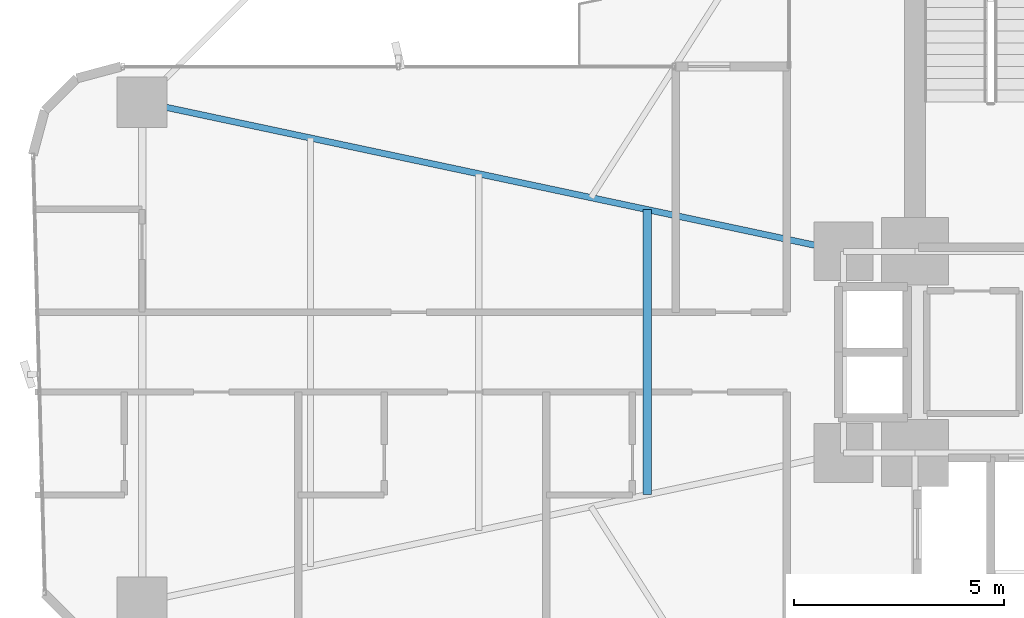
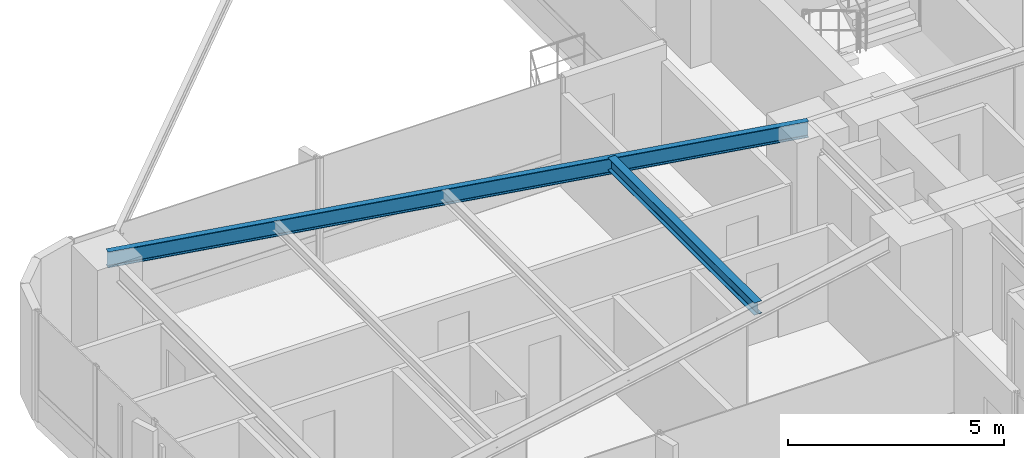
# One storey, part 9 of 25: 2 beams.
"""IFC4 building model written with IfcOpenShell, lengths in metres."""

import ifcopenshell
import ifcopenshell.guid

model = None  # the IFC model being written
_history = None  # IfcOwnerHistory: only IFC2X3 demands one
_inside = {}  # id of a spatial element -> (the spatial element, [elements in it])
_under = {}  # id of a project, library or spatial element -> (it, [spatial elements below it])
_declared = {}  # id of a project -> (the project, [libraries it declares])
_typed = {}  # id of a type object -> (the type object, [elements of that type])
_made_of = {}  # id of a material, layer set ... -> (it, [elements and type objects made of it])


def new_model(schema):
    """Start an empty IFC model of exactly this schema.

    Asked for "IFC4X3", IfcOpenShell would pick the latest addendum, in which some entities
    have other attributes; the version numbers below select the first issue.
    IFC2X3 requires an IfcOwnerHistory on every rooted entity: one is made here for all.
    """
    global model, _history
    if schema == "IFC4X3":
        model = ifcopenshell.file(schema_version=(4, 3, 0, 0))
    else:
        model = ifcopenshell.file(schema=schema)
    _inside.clear()
    _under.clear()
    _declared.clear()
    _typed.clear()
    _made_of.clear()
    _history = None
    if model.schema == "IFC2X3":
        org = make("IfcOrganization", Name="unknown")
        user = make(
            "IfcPersonAndOrganization",
            ThePerson=make("IfcPerson", FamilyName="unknown"),
            TheOrganization=org,
        )
        app = make(
            "IfcApplication",
            ApplicationDeveloper=org,
            Version="unknown",
            ApplicationFullName="unknown",
            ApplicationIdentifier="unknown",
        )
        _history = make(
            "IfcOwnerHistory",
            OwningUser=user,
            OwningApplication=app,
            ChangeAction="ADDED",
            CreationDate=0,
        )
    return model


def make(cls, **values):
    """One entity of the class cls with the attributes given. An attribute that is None is left unset."""
    return model.create_entity(
        cls, **{name: value for name, value in values.items() if value is not None}
    )


def rooted(cls, **values):
    """An entity with a GlobalId (a new one), such as an element, a storey or a relation."""
    return make(cls, GlobalId=ifcopenshell.guid.new(), OwnerHistory=_history, **values)


def si_unit(unit_type, name, prefix=None):
    """IfcSIUnit, for example si_unit("LENGTHUNIT", "METRE", prefix="MILLI")."""
    return make("IfcSIUnit", UnitType=unit_type, Prefix=prefix, Name=name)


def assignment(units):
    """IfcUnitAssignment: the units of a project."""
    return None if units is None else make("IfcUnitAssignment", Units=units)


def point(xyz):
    """IfcCartesianPoint."""
    return None if xyz is None else make("IfcCartesianPoint", Coordinates=xyz)


def direction(xyz):
    """IfcDirection."""
    return None if xyz is None else make("IfcDirection", DirectionRatios=xyz)


def frame(location, z_axis=None, x_axis=None):
    """IfcAxis2Placement3D, a coordinate frame: its origin and axes. An axis left out is left unset."""
    return make(
        "IfcAxis2Placement3D",
        Location=point(location),
        Axis=direction(z_axis),
        RefDirection=direction(x_axis),
    )


def frame_2d(location, x_axis=None):
    """IfcAxis2Placement2D, a coordinate frame in the plane: its origin and x axis."""
    return make(
        "IfcAxis2Placement2D", Location=point(location), RefDirection=direction(x_axis)
    )


def origin():
    """The frame at (0, 0, 0) with its axes left unset."""
    return frame((0.0, 0.0, 0.0))


def origin_2d():
    """The frame at (0, 0) in the plane with its x axis left unset."""
    return frame_2d((0.0, 0.0))


def place(relative_to, where):
    """IfcLocalPlacement: puts the frame where relative to a parent placement (None: the world)."""
    return make(
        "IfcLocalPlacement", PlacementRelTo=relative_to, RelativePlacement=where
    )


def context(
    kind, dimensions, precision=None, world=None, true_north=None, identifier=None
):
    """IfcGeometricRepresentationContext, for example the 3D "Model" context."""
    return make(
        "IfcGeometricRepresentationContext",
        ContextIdentifier=identifier,
        ContextType=kind,
        CoordinateSpaceDimension=dimensions,
        Precision=precision,
        WorldCoordinateSystem=world,
        TrueNorth=true_north,
    )


def subcontext(parent, identifier, kind, view, scale=None):
    """IfcGeometricRepresentationSubContext, for example "Body" below "Model"."""
    return make(
        "IfcGeometricRepresentationSubContext",
        ContextIdentifier=identifier,
        ContextType=kind,
        ParentContext=parent,
        TargetScale=scale,
        TargetView=view,
    )


def project(units=None, contexts=None):
    """IfcProject with its units and contexts."""
    return rooted(
        "IfcProject",
        Name="project",
        RepresentationContexts=contexts,
        UnitsInContext=assignment(units),
    )


def spatial(cls, under=None, at=None, **own):
    """A site, building, storey or space (cls), placed at a placement, below another one or the project."""
    s = rooted(cls, ObjectPlacement=at, **own)
    if under is not None:
        _under.setdefault(under.id(), (under, []))[1].append(s)
    return s


def profile(cls, at=None, kind="AREA", **sizes):
    """A parametric profile (cls). Its sizes go by their IFC names, for example OverallWidth=200.0."""
    return make(cls, ProfileType=kind, Position=at, **sizes)


def i_section(**sizes):
    """IfcIShapeProfileDef."""
    return profile("IfcIShapeProfileDef", **sizes)


def extrude(swept, where, along, depth):
    """IfcExtrudedAreaSolid: the profile swept, set in the frame where, extruded along a direction by depth."""
    return make(
        "IfcExtrudedAreaSolid",
        SweptArea=swept,
        Position=where,
        ExtrudedDirection=direction(along),
        Depth=depth,
    )


def shape(context_of_items, identifier, shape_type, items):
    """IfcShapeRepresentation: the items that make up one representation, for example the "Body"."""
    return make(
        "IfcShapeRepresentation",
        ContextOfItems=context_of_items,
        RepresentationIdentifier=identifier,
        RepresentationType=shape_type,
        Items=items,
    )


def source(mapping_origin, context_of_items, identifier, shape_type, items):
    """IfcRepresentationMap: a shape defined once, which mapped items show again and again."""
    return make(
        "IfcRepresentationMap",
        MappingOrigin=mapping_origin,
        MappedRepresentation=shape(context_of_items, identifier, shape_type, items),
    )


def transform(
    local_origin,
    x_axis=None,
    y_axis=None,
    z_axis=None,
    scale=None,
    scale2=None,
    scale3=None,
    uniform=True,
):
    """IfcCartesianTransformationOperator3D, or its non-uniform kind. x_axis, y_axis, z_axis: its Axis1, 2, 3."""
    if uniform:
        return make(
            "IfcCartesianTransformationOperator3D",
            Axis1=direction(x_axis),
            Axis2=direction(y_axis),
            LocalOrigin=point(local_origin),
            Scale=scale,
            Axis3=direction(z_axis),
        )
    return make(
        "IfcCartesianTransformationOperator3DnonUniform",
        Axis1=direction(x_axis),
        Axis2=direction(y_axis),
        LocalOrigin=point(local_origin),
        Scale=scale,
        Axis3=direction(z_axis),
        Scale2=scale2,
        Scale3=scale3,
    )


def mapped(mapping_source, mapping_target):
    """IfcMappedItem: shows the shape of a source again, moved by a transform."""
    return make(
        "IfcMappedItem", MappingSource=mapping_source, MappingTarget=mapping_target
    )


def material(Name=None, Category=None):
    """IfcMaterial."""
    return make("IfcMaterial", Name=Name, Category=Category)


def material_profile(
    of_material, cross_section, Name=None, Category=None, Priority=None
):
    """IfcMaterialProfile: a cross section and its material."""
    return make(
        "IfcMaterialProfile",
        Name=Name,
        Material=of_material,
        Profile=cross_section,
        Priority=Priority,
        Category=Category,
    )


def profile_set(profiles, Name=None, composite=None):
    """IfcMaterialProfileSet."""
    return make(
        "IfcMaterialProfileSet",
        Name=Name,
        MaterialProfiles=profiles,
        CompositeProfile=composite,
    )


def made_of(thing, what):
    """Note that an element or type object is made of a material, layer set ...; save() writes the relation."""
    if what is not None:
        _made_of.setdefault(what.id(), (what, []))[1].append(thing)
    return thing


def type_object(cls, material=None, **own):
    """A type object (cls), such as IfcWallType, which elements share."""
    return made_of(rooted(cls, **own), material)


def element(
    cls,
    number,
    at=None,
    inside=None,
    cuts=None,
    type_object=None,
    material=None,
    context=None,
    identifier="Body",
    shape_type=None,
    held_by="IfcProductDefinitionShape",
    body=None,
    shapes=None,
    **own,
):
    """One element of the class cls, such as IfcWall. Its Tag is "e" and its number.

    at: its placement. inside: the storey or other place that contains it. cuts: it is an
    opening in that element (IfcRelVoidsElement). A single representation is given by context,
    identifier, shape_type and body (its items); several are given by shapes. held_by: the class
    of the entity that holds the representations. save() writes the other relations.
    """
    e = rooted(cls, Tag="e%d" % number, ObjectPlacement=at, **own)
    if body is not None:
        shapes = [shape(context, identifier, shape_type, body)]
    if shapes is not None:
        e.Representation = make(held_by, Representations=shapes)
    if inside is not None:
        _inside.setdefault(inside.id(), (inside, []))[1].append(e)
    if cuts is not None:
        rooted(
            "IfcRelVoidsElement", RelatingBuildingElement=cuts, RelatedOpeningElement=e
        )
    if type_object is not None:
        _typed.setdefault(type_object.id(), (type_object, []))[1].append(e)
    return made_of(e, material)


def aggregate(whole, parts):
    """IfcRelAggregates: a whole, such as a stair, and the parts it consists of."""
    return rooted("IfcRelAggregates", RelatingObject=whole, RelatedObjects=parts)


def save(model, path):
    """Write the relations noted so far, then the file.

    IfcRelAggregates (storeys below a building ...), IfcRelContainedInSpatialStructure (elements
    in a storey), IfcRelDefinesByType, IfcRelAssociatesMaterial and IfcRelDeclares: one each for
    every whole, place, type object, material and project.
    """
    for whole, parts in _under.values():
        aggregate(whole, parts)
    for where, things in _inside.values():
        rooted(
            "IfcRelContainedInSpatialStructure",
            RelatedElements=things,
            RelatingStructure=where,
        )
    for kind, things in _typed.values():
        rooted("IfcRelDefinesByType", RelatedObjects=things, RelatingType=kind)
    for what, things in _made_of.values():
        rooted("IfcRelAssociatesMaterial", RelatedObjects=things, RelatingMaterial=what)
    for by, libraries in _declared.values():
        rooted("IfcRelDeclares", RelatingContext=by, RelatedDefinitions=libraries)
    model.write(path)


model = new_model("IFC4")

# Units and contexts
model_context = context("Model", 3, precision=1e-05, world=origin(), true_north=direction((0.0, 1.0)))
body_context = subcontext(model_context, "Body", "Model", "MODEL_VIEW")
ifc_project = project(units=[si_unit("LENGTHUNIT", "METRE"), si_unit("AREAUNIT", "SQUARE_METRE"), si_unit("VOLUMEUNIT", "CUBIC_METRE"), si_unit("PLANEANGLEUNIT", "RADIAN"), si_unit("MASSUNIT", "GRAM", prefix="KILO")], contexts=[model_context])

# Site, building, storey
site_placement = place(None, origin())
site = spatial("IfcSite", under=ifc_project, at=site_placement, CompositionType="ELEMENT")
building_placement = place(site_placement, origin())
building = spatial("IfcBuilding", under=site, at=building_placement, Name="Sahyath Konkavel Grand Hotel", CompositionType="ELEMENT")
storey_placement = place(building_placement, frame((0.0, 0.0, 33.14990234375)))
storey = spatial("IfcBuildingStorey", under=building, at=storey_placement, Name="L08", CompositionType="ELEMENT", Elevation=33.14990234375)

# Beams
ifc_material = material(Name="Steel E350", Category="steel")
ifc_material_profile_1 = material_profile(ifc_material, i_section(OverallWidth=0.14990234375, OverallDepth=0.449951171875, WebThickness=0.009521484375, FlangeThickness=0.017333984375, FilletRadius=0.014892578125, at=origin_2d()), Name="ISMB 450")
ifc_profile_set_1 = profile_set([ifc_material_profile_1], Name="Steel E350")
beam_type_1 = type_object("IfcBeamType", Name="BM-ISMB450", PredefinedType="BEAM", material=ifc_profile_set_1)
shared_shape_1 = source(origin(), body_context, "Body", "SweptSolid", [
    extrude(i_section(OverallWidth=0.14990234375, OverallDepth=0.449951171875, WebThickness=0.009521484375, FlangeThickness=0.017333984375, FilletRadius=0.014892578125, at=origin_2d()), origin(), (0.0, 0.0, 1.0), 17.072998046875),
])
beam_1_placement = place(storey_placement, frame((-5.5, 2.39990234375, 2.885009765625), z_axis=(-0.978143257225, 0.20793212437, 0.0), x_axis=(-0.20793212437, -0.978143257225, 0.0)))
element("IfcBeam", 1, at=beam_1_placement, inside=storey, type_object=beam_type_1, Name="L08 Cruciform Radial Girder WA", PredefinedType="BEAM", context=body_context, shape_type="MappedRepresentation", body=[
    mapped(shared_shape_1, transform((0.0, 0.0, 0.0), scale=1.0)),
])
ifc_material_profile_2 = material_profile(ifc_material, i_section(OverallWidth=0.199951171875, OverallDepth=0.35009765625, WebThickness=0.008056640625, FlangeThickness=0.011474609375, FilletRadius=0.013916015625, at=origin_2d()), Name="ISWB 350")
ifc_profile_set_2 = profile_set([ifc_material_profile_2], Name="Steel E350")
beam_type_2 = type_object("IfcBeamType", Name="BM-ISWB350", PredefinedType="BEAM", material=ifc_profile_set_2)
shared_shape_2 = source(origin(), body_context, "Body", "SweptSolid", [
    extrude(i_section(OverallWidth=0.199951171875, OverallDepth=0.35009765625, WebThickness=0.008056640625, FlangeThickness=0.011474609375, FilletRadius=0.013916015625, at=origin_2d()), origin(), (0.0, 0.0, 1.0), 6.7880859375),
])
beam_2_placement = place(storey_placement, frame((-10.176025390625, 3.39404296875, 2.93505859375), z_axis=(0.0, -1.0, 0.0), x_axis=(1.0, 0.0, 0.0)))
element("IfcBeam", 2, at=beam_2_placement, inside=storey, type_object=beam_type_2, Name="L08 Secondary Floor Beam W-1", PredefinedType="BEAM", context=body_context, shape_type="MappedRepresentation", body=[
    mapped(shared_shape_2, transform((0.0, 0.0, 0.0), scale=1.0)),
])

save(model, "model.ifc")
